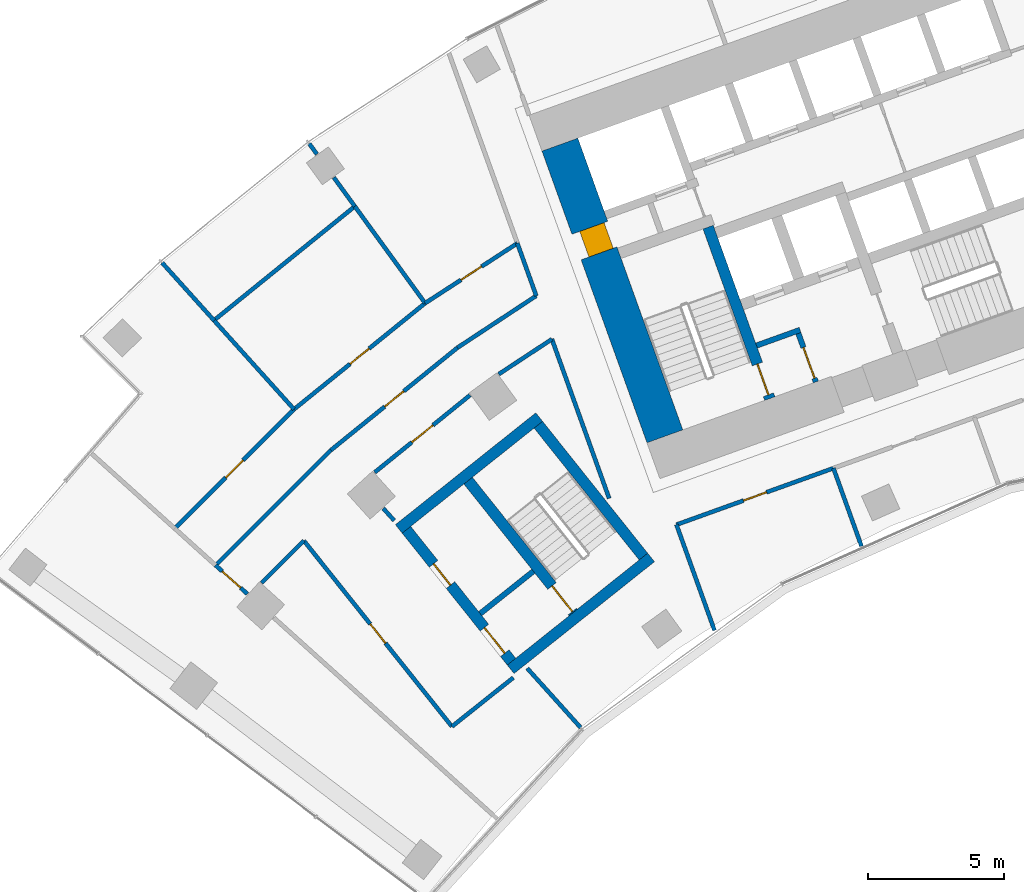
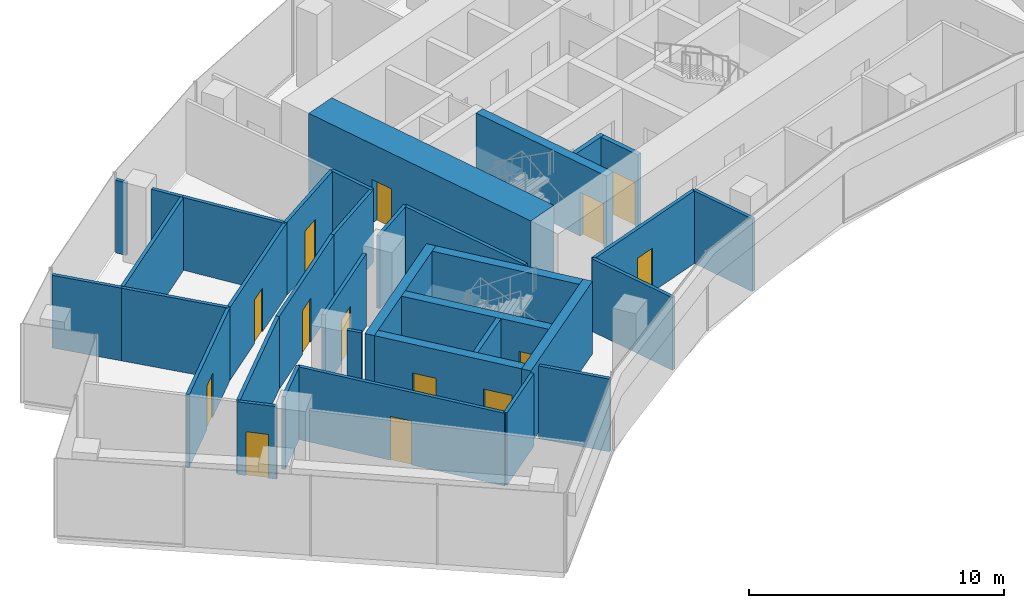
# One storey, part 13 of 20: 35 walls, 14 doors, 14 openings.
"""IFC4 building model written with IfcOpenShell, lengths in metres."""

import ifcopenshell
import ifcopenshell.guid

model = None  # the IFC model being written
_history = None  # IfcOwnerHistory: only IFC2X3 demands one
_inside = {}  # id of a spatial element -> (the spatial element, [elements in it])
_under = {}  # id of a project, library or spatial element -> (it, [spatial elements below it])
_declared = {}  # id of a project -> (the project, [libraries it declares])
_typed = {}  # id of a type object -> (the type object, [elements of that type])
_made_of = {}  # id of a material, layer set ... -> (it, [elements and type objects made of it])


def new_model(schema):
    """Start an empty IFC model of exactly this schema.

    Asked for "IFC4X3", IfcOpenShell would pick the latest addendum, in which some entities
    have other attributes; the version numbers below select the first issue.
    IFC2X3 requires an IfcOwnerHistory on every rooted entity: one is made here for all.
    """
    global model, _history
    if schema == "IFC4X3":
        model = ifcopenshell.file(schema_version=(4, 3, 0, 0))
    else:
        model = ifcopenshell.file(schema=schema)
    _inside.clear()
    _under.clear()
    _declared.clear()
    _typed.clear()
    _made_of.clear()
    _history = None
    if model.schema == "IFC2X3":
        org = make("IfcOrganization", Name="unknown")
        user = make(
            "IfcPersonAndOrganization",
            ThePerson=make("IfcPerson", FamilyName="unknown"),
            TheOrganization=org,
        )
        app = make(
            "IfcApplication",
            ApplicationDeveloper=org,
            Version="unknown",
            ApplicationFullName="unknown",
            ApplicationIdentifier="unknown",
        )
        _history = make(
            "IfcOwnerHistory",
            OwningUser=user,
            OwningApplication=app,
            ChangeAction="ADDED",
            CreationDate=0,
        )
    return model


def make(cls, **values):
    """One entity of the class cls with the attributes given. An attribute that is None is left unset."""
    return model.create_entity(
        cls, **{name: value for name, value in values.items() if value is not None}
    )


def rooted(cls, **values):
    """An entity with a GlobalId (a new one), such as an element, a storey or a relation."""
    return make(cls, GlobalId=ifcopenshell.guid.new(), OwnerHistory=_history, **values)


def si_unit(unit_type, name, prefix=None):
    """IfcSIUnit, for example si_unit("LENGTHUNIT", "METRE", prefix="MILLI")."""
    return make("IfcSIUnit", UnitType=unit_type, Prefix=prefix, Name=name)


def assignment(units):
    """IfcUnitAssignment: the units of a project."""
    return None if units is None else make("IfcUnitAssignment", Units=units)


def point(xyz):
    """IfcCartesianPoint."""
    return None if xyz is None else make("IfcCartesianPoint", Coordinates=xyz)


def direction(xyz):
    """IfcDirection."""
    return None if xyz is None else make("IfcDirection", DirectionRatios=xyz)


def frame(location, z_axis=None, x_axis=None):
    """IfcAxis2Placement3D, a coordinate frame: its origin and axes. An axis left out is left unset."""
    return make(
        "IfcAxis2Placement3D",
        Location=point(location),
        Axis=direction(z_axis),
        RefDirection=direction(x_axis),
    )


def frame_2d(location, x_axis=None):
    """IfcAxis2Placement2D, a coordinate frame in the plane: its origin and x axis."""
    return make(
        "IfcAxis2Placement2D", Location=point(location), RefDirection=direction(x_axis)
    )


def origin():
    """The frame at (0, 0, 0) with its axes left unset."""
    return frame((0.0, 0.0, 0.0))


def place(relative_to, where):
    """IfcLocalPlacement: puts the frame where relative to a parent placement (None: the world)."""
    return make(
        "IfcLocalPlacement", PlacementRelTo=relative_to, RelativePlacement=where
    )


def context(
    kind, dimensions, precision=None, world=None, true_north=None, identifier=None
):
    """IfcGeometricRepresentationContext, for example the 3D "Model" context."""
    return make(
        "IfcGeometricRepresentationContext",
        ContextIdentifier=identifier,
        ContextType=kind,
        CoordinateSpaceDimension=dimensions,
        Precision=precision,
        WorldCoordinateSystem=world,
        TrueNorth=true_north,
    )


def subcontext(parent, identifier, kind, view, scale=None):
    """IfcGeometricRepresentationSubContext, for example "Body" below "Model"."""
    return make(
        "IfcGeometricRepresentationSubContext",
        ContextIdentifier=identifier,
        ContextType=kind,
        ParentContext=parent,
        TargetScale=scale,
        TargetView=view,
    )


def project(units=None, contexts=None):
    """IfcProject with its units and contexts."""
    return rooted(
        "IfcProject",
        Name="project",
        RepresentationContexts=contexts,
        UnitsInContext=assignment(units),
    )


def spatial(cls, under=None, at=None, **own):
    """A site, building, storey or space (cls), placed at a placement, below another one or the project."""
    s = rooted(cls, ObjectPlacement=at, **own)
    if under is not None:
        _under.setdefault(under.id(), (under, []))[1].append(s)
    return s


def profile(cls, at=None, kind="AREA", **sizes):
    """A parametric profile (cls). Its sizes go by their IFC names, for example OverallWidth=200.0."""
    return make(cls, ProfileType=kind, Position=at, **sizes)


def rectangle(**sizes):
    """IfcRectangleProfileDef."""
    return profile("IfcRectangleProfileDef", **sizes)


def extrude(swept, where, along, depth):
    """IfcExtrudedAreaSolid: the profile swept, set in the frame where, extruded along a direction by depth."""
    return make(
        "IfcExtrudedAreaSolid",
        SweptArea=swept,
        Position=where,
        ExtrudedDirection=direction(along),
        Depth=depth,
    )


def shape(context_of_items, identifier, shape_type, items):
    """IfcShapeRepresentation: the items that make up one representation, for example the "Body"."""
    return make(
        "IfcShapeRepresentation",
        ContextOfItems=context_of_items,
        RepresentationIdentifier=identifier,
        RepresentationType=shape_type,
        Items=items,
    )


def material(Name=None, Category=None):
    """IfcMaterial."""
    return make("IfcMaterial", Name=Name, Category=Category)


def layer(
    of_material, thickness, ventilated=None, Name=None, Category=None, Priority=None
):
    """IfcMaterialLayer: one layer of a wall or slab, of a material (None: an air gap)."""
    return make(
        "IfcMaterialLayer",
        Material=of_material,
        LayerThickness=thickness,
        IsVentilated=ventilated,
        Name=Name,
        Category=Category,
        Priority=Priority,
    )


def layer_set(layers, Name=None):
    """IfcMaterialLayerSet."""
    return make("IfcMaterialLayerSet", MaterialLayers=layers, LayerSetName=Name)


def made_of(thing, what):
    """Note that an element or type object is made of a material, layer set ...; save() writes the relation."""
    if what is not None:
        _made_of.setdefault(what.id(), (what, []))[1].append(thing)
    return thing


def type_object(cls, material=None, **own):
    """A type object (cls), such as IfcWallType, which elements share."""
    return made_of(rooted(cls, **own), material)


def element(
    cls,
    number,
    at=None,
    inside=None,
    cuts=None,
    type_object=None,
    material=None,
    context=None,
    identifier="Body",
    shape_type=None,
    held_by="IfcProductDefinitionShape",
    body=None,
    shapes=None,
    **own,
):
    """One element of the class cls, such as IfcWall. Its Tag is "e" and its number.

    at: its placement. inside: the storey or other place that contains it. cuts: it is an
    opening in that element (IfcRelVoidsElement). A single representation is given by context,
    identifier, shape_type and body (its items); several are given by shapes. held_by: the class
    of the entity that holds the representations. save() writes the other relations.
    """
    e = rooted(cls, Tag="e%d" % number, ObjectPlacement=at, **own)
    if body is not None:
        shapes = [shape(context, identifier, shape_type, body)]
    if shapes is not None:
        e.Representation = make(held_by, Representations=shapes)
    if inside is not None:
        _inside.setdefault(inside.id(), (inside, []))[1].append(e)
    if cuts is not None:
        rooted(
            "IfcRelVoidsElement", RelatingBuildingElement=cuts, RelatedOpeningElement=e
        )
    if type_object is not None:
        _typed.setdefault(type_object.id(), (type_object, []))[1].append(e)
    return made_of(e, material)


def fill(opening, filler):
    """IfcRelFillsElement: the door or window that sits in an opening."""
    return rooted(
        "IfcRelFillsElement",
        RelatingOpeningElement=opening,
        RelatedBuildingElement=filler,
    )


def aggregate(whole, parts):
    """IfcRelAggregates: a whole, such as a stair, and the parts it consists of."""
    return rooted("IfcRelAggregates", RelatingObject=whole, RelatedObjects=parts)


def save(model, path):
    """Write the relations noted so far, then the file.

    IfcRelAggregates (storeys below a building ...), IfcRelContainedInSpatialStructure (elements
    in a storey), IfcRelDefinesByType, IfcRelAssociatesMaterial and IfcRelDeclares: one each for
    every whole, place, type object, material and project.
    """
    for whole, parts in _under.values():
        aggregate(whole, parts)
    for where, things in _inside.values():
        rooted(
            "IfcRelContainedInSpatialStructure",
            RelatedElements=things,
            RelatingStructure=where,
        )
    for kind, things in _typed.values():
        rooted("IfcRelDefinesByType", RelatedObjects=things, RelatingType=kind)
    for what, things in _made_of.values():
        rooted("IfcRelAssociatesMaterial", RelatedObjects=things, RelatingMaterial=what)
    for by, libraries in _declared.values():
        rooted("IfcRelDeclares", RelatingContext=by, RelatedDefinitions=libraries)
    model.write(path)


model = new_model("IFC4")

# Units and contexts
model_context = context("Model", 3, precision=1e-05, world=origin(), true_north=direction((0.0, 1.0)))
body_context = subcontext(model_context, "Body", "Model", "MODEL_VIEW")
ifc_project = project(units=[si_unit("LENGTHUNIT", "METRE"), si_unit("AREAUNIT", "SQUARE_METRE"), si_unit("VOLUMEUNIT", "CUBIC_METRE"), si_unit("PLANEANGLEUNIT", "RADIAN"), si_unit("MASSUNIT", "GRAM", prefix="KILO")], contexts=[model_context])

# Site, building, storey
site_placement = place(None, origin())
site = spatial("IfcSite", under=ifc_project, at=site_placement, CompositionType="ELEMENT")
building_placement = place(site_placement, origin())
building = spatial("IfcBuilding", under=site, at=building_placement, Name="Stone Belt Terrace Tower", CompositionType="ELEMENT")
storey_placement = place(building_placement, frame((0.0, 0.0, 147.800048828125)))
storey = spatial("IfcBuildingStorey", under=building, at=storey_placement, Name="L35", CompositionType="ELEMENT", Elevation=147.800048828125)

# Wall, opening, door
ifc_material_1 = material(Name="Concrete B80", Category="concrete")
ifc_layer_1 = layer(ifc_material_1, 1.39990234375)
ifc_layer_set_1 = layer_set([ifc_layer_1], Name="Core wall 1400 B80")
wall_type_1 = type_object("IfcWallType", Name="Core wall 1400 B80", PredefinedType="SHEAR", material=ifc_layer_set_1)
wall_1_placement = place(storey_placement, frame((-26.00927734375, 43.03515625, 0.0), z_axis=(0.0, 0.0, 1.0), x_axis=(-0.338625431531, 0.940921259788, 0.0)))
wall_1 = element("IfcWall", 1, at=wall_1_placement, inside=storey, type_object=wall_type_1, Name="Core A wall end_a L35", PredefinedType="SHEAR", context=body_context, shape_type="SweptSolid", body=[
    extrude(rectangle(XDim=11.400146484375, YDim=1.39990234375, at=frame_2d((5.7001953125, 0.0))), origin(), (0.0, 0.0, 1.0), 3.800048828125),
])
opening_1_placement = place(wall_1_placement, frame((7.14990234375, 0.0, 0.0)))
opening_1 = element("IfcOpeningElement", 2, at=opening_1_placement, cuts=wall_1, Name="Opening L35-C02", PredefinedType="OPENING", context=body_context, shape_type="SweptSolid", body=[
    extrude(rectangle(XDim=1.0, YDim=2.10009765625, at=frame_2d((0.5, 1.050048828125))), frame((0.0, 0.7099609375, 0.0), z_axis=(0.0, -1.0, 0.0), x_axis=(1.0, 0.0, 0.0)), (0.0, 0.0, 1.0), 1.419921875),
])
ifc_material_2 = material(Name="Timber door leaf", Category="wood")
door_type_1 = type_object("IfcDoorType", Name="Core room door 1000", OperationType="SINGLE_SWING_LEFT", PredefinedType="DOOR", material=ifc_material_2)
door_1_placement = place(opening_1_placement, origin())
door_1 = element("IfcDoor", 3, at=door_1_placement, inside=storey, type_object=door_type_1, Name="Door to Telecommunications riser room core A", OperationType="SINGLE_SWING_RIGHT", OverallHeight=2.10009765625, OverallWidth=1.0, PredefinedType="DOOR", context=body_context, shape_type="SweptSolid", body=[
    extrude(rectangle(XDim=1.0, YDim=2.10009765625, at=frame_2d((0.5, 1.050048828125))), frame((0.0, 0.39501953125, 0.0), z_axis=(0.0, -1.0, 0.0), x_axis=(1.0, 0.0, 0.0)), (0.0, 0.0, 1.0), 0.949951171875),
])
fill(opening_1, door_1)

# Walls
ifc_material_3 = material(Name="Gypsum board partition")
ifc_layer_2 = layer(ifc_material_3, 0.14990234375)
ifc_layer_set_2 = layer_set([ifc_layer_2], Name="PARTITION 150 EI 60")
wall_type_2 = type_object("IfcWallType", Name="PARTITION 150 EI 60", PredefinedType="PARTITIONING", material=ifc_layer_set_2)
wall_2_placement = place(storey_placement, frame((-25.5859375, 39.79296875, 0.0), z_axis=(0.0, 0.0, 1.0), x_axis=(0.338545933013, -0.940949866486, 0.0)))
element("IfcWall", 4, at=wall_2_placement, inside=storey, type_object=wall_type_2, Name="L35/wall/i001", PredefinedType="PARTITIONING", context=body_context, shape_type="SweptSolid", body=[
    extrude(rectangle(XDim=4.135009765625, YDim=0.14990234375, at=frame_2d((2.0673828125, 0.0))), origin(), (0.0, 0.0, 1.0), 3.47998046875),
])
wall_3_placement = place(storey_placement, frame((-28.05810546875, 40.75390625, 0.0), z_axis=(0.0, 0.0, 1.0), x_axis=(-0.338523697563, 0.94095786632, 0.0)))
element("IfcWall", 5, at=wall_3_placement, inside=storey, type_object=wall_type_2, Name="L35/wall/i003", PredefinedType="PARTITIONING", context=body_context, shape_type="SweptSolid", body=[
    extrude(rectangle(XDim=6.226806640625, YDim=0.14990234375, at=frame_2d((3.11328125, 0.0))), origin(), (0.0, 0.0, 1.0), 3.47998046875),
])
wall_4_placement = place(storey_placement, frame((-29.107177734375, 32.32666015625, 0.0), z_axis=(0.0, 0.0, 1.0), x_axis=(-0.669245075227, 0.74304174128, 0.0)))
element("IfcWall", 6, at=wall_4_placement, inside=storey, type_object=wall_type_2, Name="L35/wall/i004", PredefinedType="PARTITIONING", context=body_context, shape_type="SweptSolid", body=[
    extrude(rectangle(XDim=2.9345703125, YDim=0.14990234375, at=frame_2d((1.46728515625, 0.0))), origin(), (0.0, 0.0, 1.0), 3.47998046875),
])
wall_5_placement = place(storey_placement, frame((-30.737060546875, 48.197021484375, 0.0), z_axis=(0.0, 0.0, 1.0), x_axis=(-0.338522672426, 0.940958235127, 0.0)))
element("IfcWall", 7, at=wall_5_placement, inside=storey, type_object=wall_type_2, Name="L35/wall/i005", PredefinedType="PARTITIONING", context=body_context, shape_type="SweptSolid", body=[
    extrude(rectangle(XDim=2.064697265625, YDim=0.14990234375, at=frame_2d((1.0322265625, 0.0))), origin(), (0.0, 0.0, 1.0), 3.47998046875),
])

# Wall, opening, door
wall_6_placement = place(storey_placement, frame((-19.806884765625, 41.865966796875, 0.0), z_axis=(0.0, 0.0, 1.0), x_axis=(-0.940934038276, -0.338589922492, 0.0)))
wall_6 = element("IfcWall", 8, at=wall_6_placement, inside=storey, type_object=wall_type_2, Name="L35/wall/i012", PredefinedType="PARTITIONING", context=body_context, shape_type="SweptSolid", body=[
    extrude(rectangle(XDim=6.1396484375, YDim=0.14990234375, at=frame_2d((3.06982421875, 0.0))), origin(), (0.0, 0.0, 1.0), 3.47998046875),
])
opening_2_placement = place(wall_6_placement, frame((2.619873046875, 0.0, 0.0)))
opening_2 = element("IfcOpeningElement", 9, at=opening_2_placement, cuts=wall_6, Name="Opening D-C1-01", PredefinedType="OPENING", context=body_context, shape_type="SweptSolid", body=[
    extrude(rectangle(XDim=0.89990234375, YDim=2.10009765625, at=frame_2d((0.449951171875, 1.050048828125))), frame((0.0, 0.0849609375, 0.0), z_axis=(0.0, -1.0, 0.0), x_axis=(1.0, 0.0, 0.0)), (0.0, 0.0, 1.0), 0.169921875),
])
door_type_2 = type_object("IfcDoorType", Name="OFFICE DOOR 900 X 2100", OperationType="NOTDEFINED", PredefinedType="DOOR", material=ifc_material_2)
door_2_placement = place(opening_2_placement, origin())
door_2 = element("IfcDoor", 10, at=door_2_placement, inside=storey, type_object=door_type_2, Name="L35/door/i01", OperationType="SINGLE_SWING_RIGHT", OverallHeight=2.10009765625, OverallWidth=0.89990234375, PredefinedType="DOOR", context=body_context, shape_type="SweptSolid", body=[
    extrude(rectangle(XDim=0.89990234375, YDim=2.10009765625, at=frame_2d((0.449951171875, 1.050048828125))), frame((0.0, 0.02490234375, 0.0), z_axis=(0.0, -1.0, 0.0), x_axis=(1.0, 0.0, 0.0)), (0.0, 0.0, 1.0), 0.050048828125),
])
fill(opening_2, door_2)

# Wall
wall_7_placement = place(storey_placement, frame((-19.81298828125, 41.864013671875, 0.0), z_axis=(0.0, 0.0, 1.0), x_axis=(0.33852104262, -0.940958821471, 0.0)))
element("IfcWall", 11, at=wall_7_placement, inside=storey, type_object=wall_type_2, Name="L35/wall/i016", PredefinedType="PARTITIONING", context=body_context, shape_type="SweptSolid", body=[
    extrude(rectangle(XDim=3.050048828125, YDim=0.14990234375, at=frame_2d((1.52490234375, 0.0))), origin(), (0.0, 0.0, 1.0), 3.47998046875),
])

# Wall, opening, door
wall_8_placement = place(storey_placement, frame((-41.35986328125, 37.240478515625, 0.0), z_axis=(0.0, 0.0, 1.0), x_axis=(-0.742885543222, 0.669418456327, 0.0)))
wall_8 = element("IfcWall", 12, at=wall_8_placement, inside=storey, type_object=wall_type_2, Name="L35/wall/i040", PredefinedType="PARTITIONING", context=body_context, shape_type="SweptSolid", body=[
    extrude(rectangle(XDim=1.5751953125, YDim=0.14990234375, at=frame_2d((0.78759765625, 0.0))), origin(), (0.0, 0.0, 1.0), 3.47998046875),
])
opening_3_placement = place(wall_8_placement, frame((0.337646484375, 0.0, 0.0)))
opening_3 = element("IfcOpeningElement", 13, at=opening_3_placement, cuts=wall_8, Name="Opening D-C1-13", PredefinedType="OPENING", context=body_context, shape_type="SweptSolid", body=[
    extrude(rectangle(XDim=0.89990234375, YDim=2.10009765625, at=frame_2d((0.449951171875, 1.050048828125))), frame((0.0, 0.0849609375, 0.0), z_axis=(0.0, -1.0, 0.0), x_axis=(1.0, 0.0, 0.0)), (0.0, 0.0, 1.0), 0.169921875),
])
door_3_placement = place(opening_3_placement, origin())
door_3 = element("IfcDoor", 14, at=door_3_placement, inside=storey, type_object=door_type_2, Name="L35/door/i13", OperationType="SINGLE_SWING_RIGHT", OverallHeight=2.10009765625, OverallWidth=0.89990234375, PredefinedType="DOOR", context=body_context, shape_type="SweptSolid", body=[
    extrude(rectangle(XDim=0.89990234375, YDim=2.10009765625, at=frame_2d((0.449951171875, 1.050048828125))), frame((0.0, 0.02490234375, 0.0), z_axis=(0.0, -1.0, 0.0), x_axis=(1.0, 0.0, 0.0)), (0.0, 0.0, 1.0), 0.050048828125),
])
fill(opening_3, door_3)

# Wall
wall_9_placement = place(storey_placement, frame((-30.1640625, 46.60693359375, 0.0), z_axis=(0.0, 0.0, 1.0), x_axis=(-0.835406992815, -0.549631837102, 0.0)))
element("IfcWall", 15, at=wall_9_placement, inside=storey, type_object=wall_type_2, Name="L35/wall/i044", PredefinedType="PARTITIONING", context=body_context, shape_type="SweptSolid", body=[
    extrude(rectangle(XDim=2.339111328125, YDim=0.14990234375, at=frame_2d((1.16943359375, 0.0))), origin(), (0.0, 0.0, 1.0), 3.47998046875),
])

# Wall, opening, door
wall_10_placement = place(storey_placement, frame((-33.17578125, 44.548095703125, 0.0), z_axis=(0.0, 0.0, 1.0), x_axis=(-0.777148951547, -0.629316698578, 0.0)))
wall_10 = element("IfcWall", 16, at=wall_10_placement, inside=storey, type_object=wall_type_2, Name="L35/wall/i045", PredefinedType="PARTITIONING", context=body_context, shape_type="SweptSolid", body=[
    extrude(rectangle(XDim=4.505126953125, YDim=0.14990234375, at=frame_2d((2.25244140625, 0.0))), origin(), (0.0, 0.0, 1.0), 3.47998046875),
])
opening_4_placement = place(wall_10_placement, frame((1.752685546875, 0.0, 0.0)))
opening_4 = element("IfcOpeningElement", 17, at=opening_4_placement, cuts=wall_10, Name="Opening D-C1-14", PredefinedType="OPENING", context=body_context, shape_type="SweptSolid", body=[
    extrude(rectangle(XDim=1.0, YDim=2.10009765625, at=frame_2d((0.5, 1.050048828125))), frame((0.0, 0.0849609375, 0.0), z_axis=(0.0, -1.0, 0.0), x_axis=(1.0, 0.0, 0.0)), (0.0, 0.0, 1.0), 0.169921875),
])
ifc_material_4 = material(Name="Timber fire door leaf", Category="wood")
door_type_3 = type_object("IfcDoorType", Name="TENANCY ENTRANCE DOOR 1000 X 2100", OperationType="NOTDEFINED", PredefinedType="DOOR", material=ifc_material_4)
door_4_placement = place(opening_4_placement, origin())
door_4 = element("IfcDoor", 18, at=door_4_placement, inside=storey, type_object=door_type_3, Name="L35/door/i14", OperationType="SINGLE_SWING_RIGHT", OverallHeight=2.10009765625, OverallWidth=1.0, PredefinedType="DOOR", context=body_context, shape_type="SweptSolid", body=[
    extrude(rectangle(XDim=1.0, YDim=2.10009765625, at=frame_2d((0.5, 1.050048828125))), frame((0.0, 0.02490234375, 0.0), z_axis=(0.0, -1.0, 0.0), x_axis=(1.0, 0.0, 0.0)), (0.0, 0.0, 1.0), 0.050048828125),
])
fill(opening_4, door_4)

# Walls
wall_11_placement = place(storey_placement, frame((-39.281982421875, 39.205078125, 0.0), z_axis=(0.0, 0.0, 1.0), x_axis=(-0.707106781187, -0.707106781187, 0.0)))
element("IfcWall", 19, at=wall_11_placement, inside=storey, type_object=wall_type_2, Name="L35/wall/i046", PredefinedType="PARTITIONING", context=body_context, shape_type="SweptSolid", body=[
    extrude(rectangle(XDim=2.1982421875, YDim=0.14990234375, at=frame_2d((1.09912109375, 0.0))), origin(), (0.0, 0.0, 1.0), 3.47998046875),
])
wall_12_placement = place(storey_placement, frame((-42.52587890625, 38.291015625, 0.0), z_axis=(0.0, 0.0, 1.0), x_axis=(0.707106781187, 0.707106781187, 0.0)))
element("IfcWall", 20, at=wall_12_placement, inside=storey, type_object=wall_type_2, Name="L35/wall/i047", PredefinedType="PARTITIONING", context=body_context, shape_type="SweptSolid", body=[
    extrude(rectangle(XDim=5.989013671875, YDim=0.14990234375, at=frame_2d((2.99462890625, 0.0))), origin(), (0.0, 0.0, 1.0), 3.47998046875),
])

# Wall, opening, door
wall_13_placement = place(storey_placement, frame((-38.291015625, 42.52587890625, 0.0), z_axis=(0.0, 0.0, 1.0), x_axis=(0.777109127033, 0.629365875054, 0.0)))
wall_13 = element("IfcWall", 21, at=wall_13_placement, inside=storey, type_object=wall_type_2, Name="L35/wall/i048", PredefinedType="PARTITIONING", context=body_context, shape_type="SweptSolid", body=[
    extrude(rectangle(XDim=5.990234375, YDim=0.14990234375, at=frame_2d((2.9951171875, 0.0))), origin(), (0.0, 0.0, 1.0), 3.47998046875),
])
opening_5_placement = place(wall_13_placement, frame((2.545166015625, 0.0, 0.0)))
opening_5 = element("IfcOpeningElement", 22, at=opening_5_placement, cuts=wall_13, Name="Opening D-C1-16", PredefinedType="OPENING", context=body_context, shape_type="SweptSolid", body=[
    extrude(rectangle(XDim=0.89990234375, YDim=2.10009765625, at=frame_2d((0.449951171875, 1.050048828125))), frame((0.0, 0.0849609375, 0.0), z_axis=(0.0, -1.0, 0.0), x_axis=(1.0, 0.0, 0.0)), (0.0, 0.0, 1.0), 0.169921875),
])
door_5_placement = place(opening_5_placement, origin())
door_5 = element("IfcDoor", 23, at=door_5_placement, inside=storey, type_object=door_type_2, Name="L35/door/i16", OperationType="SINGLE_SWING_RIGHT", OverallHeight=2.10009765625, OverallWidth=0.89990234375, PredefinedType="DOOR", context=body_context, shape_type="SweptSolid", body=[
    extrude(rectangle(XDim=0.89990234375, YDim=2.10009765625, at=frame_2d((0.449951171875, 1.050048828125))), frame((0.0, 0.02490234375, 0.0), z_axis=(0.0, -1.0, 0.0), x_axis=(1.0, 0.0, 0.0)), (0.0, 0.0, 1.0), 0.050048828125),
])
fill(opening_5, door_5)

# Walls
wall_14_placement = place(storey_placement, frame((-33.635986328125, 46.2958984375, 0.0), z_axis=(0.0, 0.0, 1.0), x_axis=(0.835274160171, 0.549833681535, 0.0)))
element("IfcWall", 24, at=wall_14_placement, inside=storey, type_object=wall_type_2, Name="L35/wall/i049", PredefinedType="PARTITIONING", context=body_context, shape_type="SweptSolid", body=[
    extrude(rectangle(XDim=3.46826171875, YDim=0.14990234375, at=frame_2d((1.734130859375, 0.0))), origin(), (0.0, 0.0, 1.0), 3.47998046875),
])
wall_15_placement = place(storey_placement, frame((-36.364013671875, 40.38623046875, 0.0), z_axis=(0.0, 0.0, 1.0), x_axis=(0.668964731622, -0.743294146247, 0.0)))
element("IfcWall", 25, at=wall_15_placement, inside=storey, type_object=wall_type_2, Name="L35/wall/i050", PredefinedType="PARTITIONING", context=body_context, shape_type="SweptSolid", body=[
    extrude(rectangle(XDim=0.597900390625, YDim=0.14990234375, at=frame_2d((0.298828125, 0.0))), origin(), (0.0, 0.0, 1.0), 3.47998046875),
])
wall_16_placement = place(storey_placement, frame((-31.58203125, 34.1640625, 0.0), z_axis=(0.0, 0.0, 1.0), x_axis=(-0.78211299795, -0.623136629029, 0.0)))
element("IfcWall", 26, at=wall_16_placement, inside=storey, type_object=wall_type_2, Name="L35/wall/i051", PredefinedType="PARTITIONING", context=body_context, shape_type="SweptSolid", body=[
    extrude(rectangle(XDim=2.88720703125, YDim=0.14990234375, at=frame_2d((1.443603515625, 0.0))), origin(), (0.0, 0.0, 1.0), 3.47998046875),
])

# Wall, opening, door
wall_17_placement = place(storey_placement, frame((-33.841064453125, 32.365966796875, 0.0), z_axis=(0.0, 0.0, 1.0), x_axis=(-0.623078744687, 0.782159112917, 0.0)))
wall_17 = element("IfcWall", 27, at=wall_17_placement, inside=storey, type_object=wall_type_2, Name="L35/wall/i052", PredefinedType="PARTITIONING", context=body_context, shape_type="SweptSolid", body=[
    extrude(rectangle(XDim=8.738525390625, YDim=0.14990234375, at=frame_2d((4.369140625, 0.0))), origin(), (0.0, 0.0, 1.0), 3.47998046875),
])
opening_6_placement = place(wall_17_placement, frame((3.91943359375, 0.0, 0.0)))
opening_6 = element("IfcOpeningElement", 28, at=opening_6_placement, cuts=wall_17, Name="Opening D-C1-15", PredefinedType="OPENING", context=body_context, shape_type="SweptSolid", body=[
    extrude(rectangle(XDim=0.89990234375, YDim=2.10009765625, at=frame_2d((0.449951171875, 1.050048828125))), frame((0.0, 0.0849609375, 0.0), z_axis=(0.0, -1.0, 0.0), x_axis=(1.0, 0.0, 0.0)), (0.0, 0.0, 1.0), 0.169921875),
])
door_6_placement = place(opening_6_placement, origin())
door_6 = element("IfcDoor", 29, at=door_6_placement, inside=storey, type_object=door_type_2, Name="L35/door/i15", OperationType="SINGLE_SWING_RIGHT", OverallHeight=2.10009765625, OverallWidth=0.89990234375, PredefinedType="DOOR", context=body_context, shape_type="SweptSolid", body=[
    extrude(rectangle(XDim=0.89990234375, YDim=2.10009765625, at=frame_2d((0.449951171875, 1.050048828125))), frame((0.0, 0.02490234375, 0.0), z_axis=(0.0, -1.0, 0.0), x_axis=(1.0, 0.0, 0.0)), (0.0, 0.0, 1.0), 0.050048828125),
])
fill(opening_6, door_6)

wall_18_placement = place(storey_placement, frame((-44.029052734375, 39.64501953125, 0.0), z_axis=(0.0, 0.0, 1.0), x_axis=(0.707106781187, 0.707106781187, 0.0)))
wall_18 = element("IfcWall", 30, at=wall_18_placement, inside=storey, type_object=wall_type_2, Name="L35/wall/i053", PredefinedType="PARTITIONING", context=body_context, shape_type="SweptSolid", body=[
    extrude(rectangle(XDim=6.201416015625, YDim=0.14990234375, at=frame_2d((3.1005859375, 0.0))), origin(), (0.0, 0.0, 1.0), 3.47998046875),
])
opening_7_placement = place(wall_18_placement, frame((2.650634765625, 0.0, 0.0)))
opening_7 = element("IfcOpeningElement", 31, at=opening_7_placement, cuts=wall_18, Name="Opening D-C1-17", PredefinedType="OPENING", context=body_context, shape_type="SweptSolid", body=[
    extrude(rectangle(XDim=0.89990234375, YDim=2.10009765625, at=frame_2d((0.449951171875, 1.050048828125))), frame((0.0, 0.0849609375, 0.0), z_axis=(0.0, -1.0, 0.0), x_axis=(1.0, 0.0, 0.0)), (0.0, 0.0, 1.0), 0.169921875),
])
door_7_placement = place(opening_7_placement, origin())
door_7 = element("IfcDoor", 32, at=door_7_placement, inside=storey, type_object=door_type_2, Name="L35/door/i17", OperationType="SINGLE_SWING_RIGHT", OverallHeight=2.10009765625, OverallWidth=0.89990234375, PredefinedType="DOOR", context=body_context, shape_type="SweptSolid", body=[
    extrude(rectangle(XDim=0.89990234375, YDim=2.10009765625, at=frame_2d((0.449951171875, 1.050048828125))), frame((0.0, 0.02490234375, 0.0), z_axis=(0.0, -1.0, 0.0), x_axis=(1.0, 0.0, 0.0)), (0.0, 0.0, 1.0), 0.050048828125),
])
fill(opening_7, door_7)

wall_19_placement = place(storey_placement, frame((-39.64404296875, 44.030029296875, 0.0), z_axis=(0.0, 0.0, 1.0), x_axis=(0.777190769916, 0.629265053184, 0.0)))
wall_19 = element("IfcWall", 33, at=wall_19_placement, inside=storey, type_object=wall_type_2, Name="L35/wall/i054", PredefinedType="PARTITIONING", context=body_context, shape_type="SweptSolid", body=[
    extrude(rectangle(XDim=6.20068359375, YDim=0.14990234375, at=frame_2d((3.100341796875, 0.0))), origin(), (0.0, 0.0, 1.0), 3.47998046875),
])
opening_8_placement = place(wall_19_placement, frame((2.650390625, 0.0, 0.0)))
opening_8 = element("IfcOpeningElement", 34, at=opening_8_placement, cuts=wall_19, Name="Opening D-C1-18", PredefinedType="OPENING", context=body_context, shape_type="SweptSolid", body=[
    extrude(rectangle(XDim=0.89990234375, YDim=2.10009765625, at=frame_2d((0.449951171875, 1.050048828125))), frame((0.0, 0.0849609375, 0.0), z_axis=(0.0, -1.0, 0.0), x_axis=(1.0, 0.0, 0.0)), (0.0, 0.0, 1.0), 0.169921875),
])
door_8_placement = place(opening_8_placement, origin())
door_8 = element("IfcDoor", 35, at=door_8_placement, inside=storey, type_object=door_type_2, Name="L35/door/i18", OperationType="SINGLE_SWING_RIGHT", OverallHeight=2.10009765625, OverallWidth=0.89990234375, PredefinedType="DOOR", context=body_context, shape_type="SweptSolid", body=[
    extrude(rectangle(XDim=0.89990234375, YDim=2.10009765625, at=frame_2d((0.449951171875, 1.050048828125))), frame((0.0, 0.02490234375, 0.0), z_axis=(0.0, -1.0, 0.0), x_axis=(1.0, 0.0, 0.0)), (0.0, 0.0, 1.0), 0.050048828125),
])
fill(opening_8, door_8)

wall_20_placement = place(storey_placement, frame((-34.824951171875, 47.931884765625, 0.0), z_axis=(0.0, 0.0, 1.0), x_axis=(0.838660143757, 0.544655086521, 0.0)))
wall_20 = element("IfcWall", 36, at=wall_20_placement, inside=storey, type_object=wall_type_2, Name="L35/wall/i055", PredefinedType="PARTITIONING", context=body_context, shape_type="SweptSolid", body=[
    extrude(rectangle(XDim=4.043212890625, YDim=0.14990234375, at=frame_2d((2.021484375, 0.0))), origin(), (0.0, 0.0, 1.0), 3.47998046875),
])
opening_9_placement = place(wall_20_placement, frame((1.571533203125, 0.0, 0.0)))
opening_9 = element("IfcOpeningElement", 37, at=opening_9_placement, cuts=wall_20, Name="Opening D-C1-19", PredefinedType="OPENING", context=body_context, shape_type="SweptSolid", body=[
    extrude(rectangle(XDim=0.89990234375, YDim=2.10009765625, at=frame_2d((0.449951171875, 1.050048828125))), frame((0.0, 0.0849609375, 0.0), z_axis=(0.0, -1.0, 0.0), x_axis=(1.0, 0.0, 0.0)), (0.0, 0.0, 1.0), 0.169921875),
])
door_9_placement = place(opening_9_placement, origin())
door_9 = element("IfcDoor", 38, at=door_9_placement, inside=storey, type_object=door_type_2, Name="L35/door/i19", OperationType="SINGLE_SWING_RIGHT", OverallHeight=2.10009765625, OverallWidth=0.89990234375, PredefinedType="DOOR", context=body_context, shape_type="SweptSolid", body=[
    extrude(rectangle(XDim=0.89990234375, YDim=2.10009765625, at=frame_2d((0.449951171875, 1.050048828125))), frame((0.0, 0.02490234375, 0.0), z_axis=(0.0, -1.0, 0.0), x_axis=(1.0, 0.0, 0.0)), (0.0, 0.0, 1.0), 0.050048828125),
])
fill(opening_9, door_9)

# Walls
wall_21_placement = place(storey_placement, frame((-42.592041015625, 47.302978515625, 0.0), z_axis=(0.0, 0.0, 1.0), x_axis=(0.669258646934, -0.74302951725, 0.0)))
element("IfcWall", 39, at=wall_21_placement, inside=storey, type_object=wall_type_2, Name="L35/wall/i056", PredefinedType="PARTITIONING", context=body_context, shape_type="SweptSolid", body=[
    extrude(rectangle(XDim=4.40478515625, YDim=0.14990234375, at=frame_2d((2.202392578125, 0.0))), origin(), (0.0, 0.0, 1.0), 3.47998046875),
])
wall_22_placement = place(storey_placement, frame((-44.496826171875, 49.41943359375, 0.0), z_axis=(0.0, 0.0, 1.0), x_axis=(0.66894586308, -0.743311127502, 0.0)))
element("IfcWall", 40, at=wall_22_placement, inside=storey, type_object=wall_type_2, Name="L35/wall/i057", PredefinedType="PARTITIONING", context=body_context, shape_type="SweptSolid", body=[
    extrude(rectangle(XDim=2.859375, YDim=0.14990234375, at=frame_2d((1.4296875, 0.0))), origin(), (0.0, 0.0, 1.0), 3.47998046875),
])
wall_23_placement = place(storey_placement, frame((-42.587890625, 47.299072265625, 0.0), z_axis=(0.0, 0.0, 1.0), x_axis=(0.777100621569, 0.629376377025, 0.0)))
element("IfcWall", 41, at=wall_23_placement, inside=storey, type_object=wall_type_2, Name="L35/wall/i058", PredefinedType="PARTITIONING", context=body_context, shape_type="SweptSolid", body=[
    extrude(rectangle(XDim=6.661865234375, YDim=0.14990234375, at=frame_2d((3.3310546875, 0.0))), origin(), (0.0, 0.0, 1.0), 3.47998046875),
])
wall_24_placement = place(storey_placement, frame((-37.410888671875, 51.491943359375, 0.0), z_axis=(0.0, 0.0, 1.0), x_axis=(0.587696525109, -0.809081451014, 0.0)))
element("IfcWall", 42, at=wall_24_placement, inside=storey, type_object=wall_type_2, Name="L35/wall/i059", PredefinedType="PARTITIONING", context=body_context, shape_type="SweptSolid", body=[
    extrude(rectangle(XDim=4.400146484375, YDim=0.14990234375, at=frame_2d((2.2001953125, 0.0))), origin(), (0.0, 0.0, 1.0), 3.47998046875),
])
wall_25_placement = place(storey_placement, frame((-39.087890625, 53.7998046875, 0.0), z_axis=(0.0, 0.0, 1.0), x_axis=(0.587839914735, -0.808977276964, 0.0)))
element("IfcWall", 43, at=wall_25_placement, inside=storey, type_object=wall_type_2, Name="L35/wall/i060", PredefinedType="PARTITIONING", context=body_context, shape_type="SweptSolid", body=[
    extrude(rectangle(XDim=0.4814453125, YDim=0.14990234375, at=frame_2d((0.24072265625, 0.0))), origin(), (0.0, 0.0, 1.0), 3.47998046875),
])
wall_26_placement = place(storey_placement, frame((-38.181884765625, 52.552978515625, 0.0), z_axis=(0.0, 0.0, 1.0), x_axis=(0.587839609229, -0.808977498958, 0.0)))
element("IfcWall", 44, at=wall_26_placement, inside=storey, type_object=wall_type_2, Name="L35/wall/i061", PredefinedType="PARTITIONING", context=body_context, shape_type="SweptSolid", body=[
    extrude(rectangle(XDim=1.3115234375, YDim=0.14990234375, at=frame_2d((0.65576171875, 0.0))), origin(), (0.0, 0.0, 1.0), 3.47998046875),
])
ifc_material_5 = material(Name="Concrete masonry block", Category="masonry")
ifc_layer_3 = layer(ifc_material_5, 0.199951171875)
ifc_layer_set_3 = layer_set([ifc_layer_3], Name="Rated lobby wall 200")
wall_type_3 = type_object("IfcWallType", Name="Rated lobby wall 200", PredefinedType="PARTITIONING", material=ifc_layer_set_3)
wall_27_placement = place(storey_placement, frame((-22.640625, 46.373046875, 0.0), z_axis=(0.0, 0.0, 1.0), x_axis=(0.940966110313, 0.338500781747, 0.0)))
element("IfcWall", 45, at=wall_27_placement, inside=storey, type_object=wall_type_3, Name="Core A wall", PredefinedType="PARTITIONING", context=body_context, shape_type="SweptSolid", body=[
    extrude(rectangle(XDim=1.699951171875, YDim=0.199951171875, at=frame_2d((0.85009765625, 0.0))), origin(), (0.0, 0.0, 1.0), 3.47998046875),
])

# Wall, opening, door
wall_28_placement = place(storey_placement, frame((-20.4580078125, 45.032958984375, 0.0), z_axis=(0.0, 0.0, 1.0), x_axis=(-0.338573865316, 0.940939816208, 0.0)))
wall_28 = element("IfcWall", 46, at=wall_28_placement, inside=storey, type_object=wall_type_3, Name="Core A wall", PredefinedType="PARTITIONING", context=body_context, shape_type="SweptSolid", body=[
    extrude(rectangle(XDim=1.900146484375, YDim=0.199951171875, at=frame_2d((0.9501953125, 0.0))), origin(), (0.0, 0.0, 1.0), 3.47998046875),
])
opening_10_placement = place(wall_28_placement, frame((0.14990234375, 0.0, 0.0)))
opening_10 = element("IfcOpeningElement", 47, at=opening_10_placement, cuts=wall_28, Name="Opening L35-C07", PredefinedType="OPENING", context=body_context, shape_type="SweptSolid", body=[
    extrude(rectangle(XDim=1.199951171875, YDim=2.10009765625, at=frame_2d((0.60009765625, 1.050048828125))), frame((0.0, 0.10986328125, 0.0), z_axis=(0.0, -1.0, 0.0), x_axis=(1.0, 0.0, 0.0)), (0.0, 0.0, 1.0), 0.219970703125),
])
ifc_material_6 = material(Name="Steel door leaf", Category="steel")
door_type_4 = type_object("IfcDoorType", Name="Stair door 1200", OperationType="SINGLE_SWING_LEFT", PredefinedType="DOOR", material=ifc_material_6)
door_10_placement = place(opening_10_placement, origin())
door_10 = element("IfcDoor", 48, at=door_10_placement, inside=storey, type_object=door_type_4, Name="Stair airlock door core A", OperationType="SINGLE_SWING_LEFT", OverallHeight=2.10009765625, OverallWidth=1.199951171875, PredefinedType="DOOR", context=body_context, shape_type="SweptSolid", body=[
    extrude(rectangle(XDim=1.199951171875, YDim=2.10009765625, at=frame_2d((0.60009765625, 1.050048828125))), frame((0.0, 0.02490234375, 0.0), z_axis=(0.0, -1.0, 0.0), x_axis=(1.0, 0.0, 0.0)), (0.0, 0.0, 1.0), 0.050048828125),
])
fill(opening_10, door_10)

# Wall
wall_29_placement = place(storey_placement, frame((-30.845703125, 38.074951171875, 0.0), z_axis=(0.0, 0.0, 1.0), x_axis=(-0.782115323833, -0.623133709749, 0.0)))
element("IfcWall", 49, at=wall_29_placement, inside=storey, type_object=wall_type_3, Name="Exit stair ST3A wall", PredefinedType="PARTITIONING", context=body_context, shape_type="SweptSolid", body=[
    extrude(rectangle(XDim=2.5, YDim=0.199951171875, at=frame_2d((1.25, 0.0))), origin(), (0.0, 0.0, 1.0), 3.47998046875),
])

# Wall, opening, door
ifc_layer_4 = layer(ifc_material_1, 0.39990234375)
ifc_layer_set_4 = layer_set([ifc_layer_4], Name="Stair enclosure wall 400")
wall_type_4 = type_object("IfcWallType", Name="Stair enclosure wall 400", PredefinedType="SHEAR", material=ifc_layer_set_4)
wall_30_placement = place(storey_placement, frame((-22.151611328125, 44.42333984375, 0.0), z_axis=(0.0, 0.0, 1.0), x_axis=(-0.338625272931, 0.940921316866, 0.0)))
wall_30 = element("IfcWall", 50, at=wall_30_placement, inside=storey, type_object=wall_type_4, Name="Core A wall", PredefinedType="SHEAR", context=body_context, shape_type="SweptSolid", body=[
    extrude(rectangle(XDim=6.699951171875, YDim=0.39990234375, at=frame_2d((3.35009765625, 0.0))), origin(), (0.0, 0.0, 1.0), 3.47998046875),
])
opening_11_placement = place(wall_30_placement, frame((0.14990234375, 0.0, 0.0)))
opening_11 = element("IfcOpeningElement", 51, at=opening_11_placement, cuts=wall_30, Name="Opening L35-C06", PredefinedType="OPENING", context=body_context, shape_type="SweptSolid", body=[
    extrude(rectangle(XDim=1.199951171875, YDim=2.10009765625, at=frame_2d((0.60009765625, 1.050048828125))), frame((0.0, 0.2099609375, 0.0), z_axis=(0.0, -1.0, 0.0), x_axis=(1.0, 0.0, 0.0)), (0.0, 0.0, 1.0), 0.419921875),
])
door_11_placement = place(opening_11_placement, origin())
door_11 = element("IfcDoor", 52, at=door_11_placement, inside=storey, type_object=door_type_4, Name="Stair 1 door core A", OperationType="SINGLE_SWING_LEFT", OverallHeight=2.10009765625, OverallWidth=1.199951171875, PredefinedType="DOOR", context=body_context, shape_type="SweptSolid", body=[
    extrude(rectangle(XDim=1.199951171875, YDim=2.10009765625, at=frame_2d((0.60009765625, 1.050048828125))), frame((0.0, 0.02490234375, 0.0), z_axis=(0.0, -1.0, 0.0), x_axis=(1.0, 0.0, 0.0)), (0.0, 0.0, 1.0), 0.050048828125),
])
fill(opening_11, door_11)

# Walls
for number, where, z_axis, x_axis, name in (
    (53, (-26.518798828125, 38.58154296875, 0.0), (0.0, 0.0, 1.0), (-0.782133914161, -0.623110375711, 0.0), "Exit stair ST3A wall"),
    (54, (-30.63134765625, 43.74365234375, 0.0), (0.0, 0.0, 1.0), (-0.782133914161, -0.623110375711, 0.0), "Exit stair ST3A wall"),
):
    element("IfcWall", number, at=place(storey_placement, frame(where, z_axis=z_axis, x_axis=x_axis)), inside=storey, type_object=wall_type_4, Name=name, PredefinedType="SHEAR", context=body_context, shape_type="SweptSolid", body=[
        extrude(rectangle(XDim=6.60009765625, YDim=0.39990234375, at=frame_2d((3.300048828125, 0.0))), origin(), (0.0, 0.0, 1.0), 3.47998046875),
    ])
wall_31_placement = place(storey_placement, frame((-26.7998046875, 38.61328125, 0.0), z_axis=(0.0, 0.0, 1.0), x_axis=(-0.623118653668, 0.782127319208, 0.0)))
element("IfcWall", 55, at=wall_31_placement, inside=storey, type_object=wall_type_4, Name="Exit stair ST3A wall", PredefinedType="SHEAR", context=body_context, shape_type="SweptSolid", body=[
    extrude(rectangle(XDim=6.199951171875, YDim=0.39990234375, at=frame_2d((3.10009765625, 0.0))), origin(), (0.0, 0.0, 1.0), 3.47998046875),
])

# Wall, openings, doors
wall_32_placement = place(storey_placement, frame((-31.64892578125, 34.75, 0.0), z_axis=(0.0, 0.0, 1.0), x_axis=(-0.623118653668, 0.782127319208, 0.0)))
wall_32 = element("IfcWall", 56, at=wall_32_placement, inside=storey, type_object=wall_type_4, Name="Exit stair ST3A wall", PredefinedType="SHEAR", context=body_context, shape_type="SweptSolid", body=[
    extrude(rectangle(XDim=6.199951171875, YDim=0.39990234375, at=frame_2d((3.10009765625, 0.0))), origin(), (0.0, 0.0, 1.0), 3.47998046875),
])
opening_12_placement = place(wall_32_placement, frame((0.39990234375, 0.0, 0.0)))
opening_12 = element("IfcOpeningElement", 57, at=opening_12_placement, cuts=wall_32, Name="Opening L35-C26", PredefinedType="OPENING", context=body_context, shape_type="SweptSolid", body=[
    extrude(rectangle(XDim=1.199951171875, YDim=2.10009765625, at=frame_2d((0.60009765625, 1.050048828125))), frame((0.0, 0.2099609375, 0.0), z_axis=(0.0, -1.0, 0.0), x_axis=(1.0, 0.0, 0.0)), (0.0, 0.0, 1.0), 0.419921875),
])
opening_13_placement = place(wall_32_placement, frame((3.60009765625, 0.0, 0.0)))
opening_13 = element("IfcOpeningElement", 58, at=opening_13_placement, cuts=wall_32, Name="Opening L35-C27", PredefinedType="OPENING", context=body_context, shape_type="SweptSolid", body=[
    extrude(rectangle(XDim=1.0, YDim=2.10009765625, at=frame_2d((0.5, 1.050048828125))), frame((0.0, 0.2099609375, 0.0), z_axis=(0.0, -1.0, 0.0), x_axis=(1.0, 0.0, 0.0)), (0.0, 0.0, 1.0), 0.419921875),
])
door_12_placement = place(opening_13_placement, origin())
door_12 = element("IfcDoor", 59, at=door_12_placement, inside=storey, type_object=door_type_1, Name="Door to stair pressurisation plant room ST3A", OperationType="SINGLE_SWING_RIGHT", OverallHeight=2.10009765625, OverallWidth=1.0, PredefinedType="DOOR", context=body_context, shape_type="SweptSolid", body=[
    extrude(rectangle(XDim=1.0, YDim=2.10009765625, at=frame_2d((0.5, 1.050048828125))), frame((0.0, 0.02490234375, 0.0), z_axis=(0.0, -1.0, 0.0), x_axis=(1.0, 0.0, 0.0)), (0.0, 0.0, 1.0), 0.050048828125),
])
fill(opening_13, door_12)
door_type_5 = type_object("IfcDoorType", Name="Stair airlock door 1200", OperationType="SINGLE_SWING_LEFT", PredefinedType="DOOR", material=ifc_material_6)
door_13_placement = place(opening_12_placement, origin())
door_13 = element("IfcDoor", 60, at=door_13_placement, inside=storey, type_object=door_type_5, Name="Stair airlock door ST3A", OperationType="SINGLE_SWING_RIGHT", OverallHeight=2.10009765625, OverallWidth=1.199951171875, PredefinedType="DOOR", context=body_context, shape_type="SweptSolid", body=[
    extrude(rectangle(XDim=1.199951171875, YDim=2.10009765625, at=frame_2d((0.60009765625, 1.050048828125))), frame((0.0, 0.02490234375, 0.0), z_axis=(0.0, -1.0, 0.0), x_axis=(1.0, 0.0, 0.0)), (0.0, 0.0, 1.0), 0.050048828125),
])
fill(opening_12, door_13)

# Wall, opening, door
wall_33_placement = place(storey_placement, frame((-29.380859375, 36.556884765625, 0.0), z_axis=(0.0, 0.0, 1.0), x_axis=(-0.623099462847, 0.782142608097, 0.0)))
wall_33 = element("IfcWall", 61, at=wall_33_placement, inside=storey, type_object=wall_type_4, Name="Exit stair ST3A wall", PredefinedType="SHEAR", context=body_context, shape_type="SweptSolid", body=[
    extrude(rectangle(XDim=6.2001953125, YDim=0.39990234375, at=frame_2d((3.10009765625, 0.0))), origin(), (0.0, 0.0, 1.0), 3.47998046875),
])
opening_14_placement = place(wall_33_placement, frame((0.050048828125, 0.0, 0.0)))
opening_14 = element("IfcOpeningElement", 62, at=opening_14_placement, cuts=wall_33, Name="Opening L35-C25", PredefinedType="OPENING", context=body_context, shape_type="SweptSolid", body=[
    extrude(rectangle(XDim=1.199951171875, YDim=2.10009765625, at=frame_2d((0.60009765625, 1.050048828125))), frame((0.0, 0.2099609375, 0.0), z_axis=(0.0, -1.0, 0.0), x_axis=(1.0, 0.0, 0.0)), (0.0, 0.0, 1.0), 0.419921875),
])
door_14_placement = place(opening_14_placement, origin())
door_14 = element("IfcDoor", 63, at=door_14_placement, inside=storey, type_object=door_type_4, Name="Stair door ST3A", OperationType="SINGLE_SWING_LEFT", OverallHeight=2.10009765625, OverallWidth=1.199951171875, PredefinedType="DOOR", context=body_context, shape_type="SweptSolid", body=[
    extrude(rectangle(XDim=1.199951171875, YDim=2.10009765625, at=frame_2d((0.60009765625, 1.050048828125))), frame((0.0, 0.02490234375, 0.0), z_axis=(0.0, -1.0, 0.0), x_axis=(1.0, 0.0, 0.0)), (0.0, 0.0, 1.0), 0.050048828125),
])
fill(opening_14, door_14)

save(model, "model.ifc")
